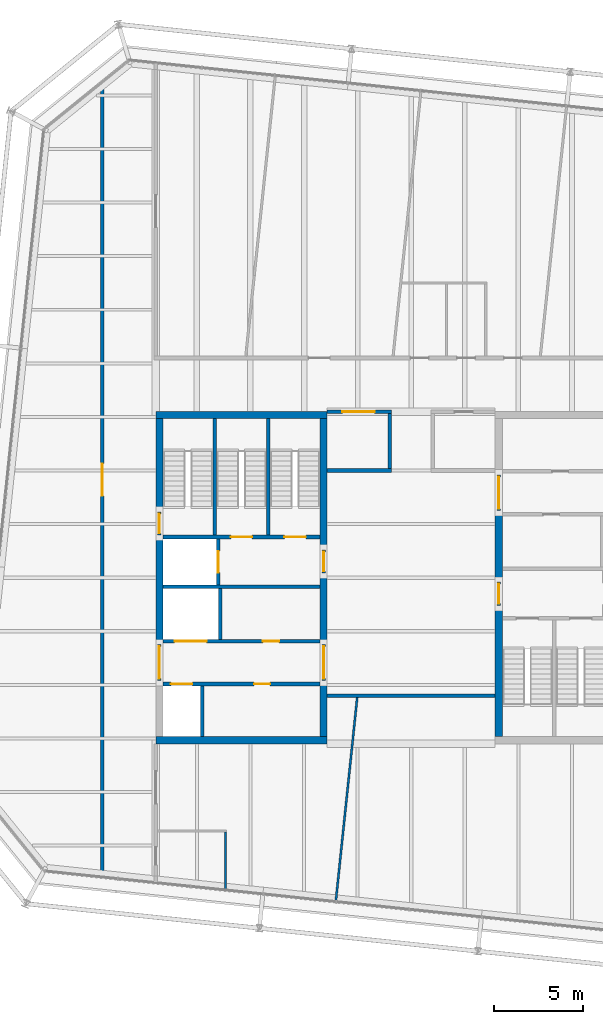
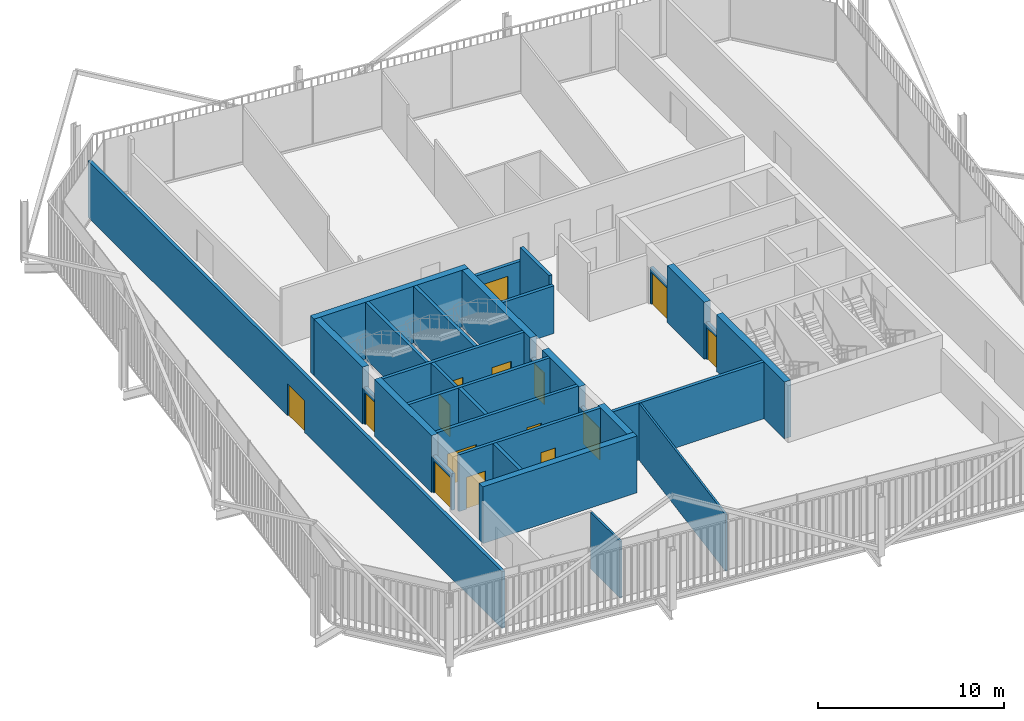
# One storey, part 17 of 21: 31 walls, 15 doors, 15 openings.
"""IFC4 building model written with IfcOpenShell, lengths in metres."""

from ifc_helpers import new_model, si_unit, direction, frame, frame_2d, origin, place, context, subcontext, project, spatial, rectangle, extrude, material, layer, layer_set, type_object, element, fill, save


model = new_model("IFC4")

# Units and contexts
model_context = context("Model", 3, precision=1e-05, world=origin(), true_north=direction((0.0, 1.0)))
body_context = subcontext(model_context, "Body", "Model", "MODEL_VIEW")
ifc_project = project(units=[si_unit("LENGTHUNIT", "METRE"), si_unit("AREAUNIT", "SQUARE_METRE"), si_unit("VOLUMEUNIT", "CUBIC_METRE"), si_unit("PLANEANGLEUNIT", "RADIAN"), si_unit("MASSUNIT", "GRAM", prefix="KILO")], contexts=[model_context])

# Site, building, storey
site_placement = place(None, origin())
site = spatial("IfcSite", under=ifc_project, at=site_placement, CompositionType="ELEMENT")
building_placement = place(site_placement, origin())
building = spatial("IfcBuilding", under=site, at=building_placement, Name="Millrace Tower", CompositionType="ELEMENT")
storey_placement = place(building_placement, frame((0.0, 0.0, 283.800048828125)))
storey = spatial("IfcBuildingStorey", under=building, at=storey_placement, Name="L65", CompositionType="ELEMENT", Elevation=283.800048828125)

# Walls
ifc_material_1 = material(Name="Concrete C60", Category="concrete")
ifc_layer_1 = layer(ifc_material_1, 0.39990234375)
ifc_layer_set_1 = layer_set([ifc_layer_1], Name="Concrete C60")
wall_type_1 = type_object("IfcWallType", Name="Core wall 400 Concrete C60", PredefinedType="SHEAR", material=ifc_layer_set_1)
for number, where, z_axis, x_axis, name in (
    (1, (-14.300048828125, -9.10009765625, 0.0), (0.0, 0.0, 1.0), (1.0, 0.0, 0.0), "Core wall W L65"),
    (2, (-14.300048828125, 9.10009765625, 0.0), (0.0, 0.0, 1.0), (1.0, 0.0, 0.0), "Core wall W L65"),
):
    element("IfcWall", number, at=place(storey_placement, frame(where, z_axis=z_axis, x_axis=x_axis)), inside=storey, type_object=wall_type_1, Name=name, PredefinedType="SHEAR", context=body_context, shape_type="SweptSolid", body=[
        extrude(rectangle(XDim=9.60009765625, YDim=0.39990234375, at=frame_2d((4.800048828125, 0.0))), origin(), (0.0, 0.0, 1.0), 3.739990234375),
    ])
wall_1_placement = place(storey_placement, frame((-14.10009765625, -3.75, 0.0), z_axis=(0.0, 0.0, 1.0), x_axis=(0.0, 1.0, 0.0)))
element("IfcWall", 3, at=wall_1_placement, inside=storey, type_object=wall_type_1, Name="Core wall W L65", PredefinedType="SHEAR", context=body_context, shape_type="SweptSolid", body=[
    extrude(rectangle(XDim=6.1298828125, YDim=0.39990234375, at=frame_2d((3.06494140625, 0.0))), origin(), (0.0, 0.0, 1.0), 3.739990234375),
])
wall_2_placement = place(storey_placement, frame((-14.10009765625, 3.679931640625, 0.0), z_axis=(0.0, 0.0, 1.0), x_axis=(0.0, 1.0, 0.0)))
element("IfcWall", 4, at=wall_2_placement, inside=storey, type_object=wall_type_1, Name="Core wall W L65", PredefinedType="SHEAR", context=body_context, shape_type="SweptSolid", body=[
    extrude(rectangle(XDim=5.219970703125, YDim=0.39990234375, at=frame_2d((2.60986328125, 0.0))), origin(), (0.0, 0.0, 1.0), 3.739990234375),
])
wall_3_placement = place(storey_placement, frame((-4.89990234375, -8.89990234375, 0.0), z_axis=(0.0, 0.0, 1.0), x_axis=(0.0, 1.0, 0.0)))
element("IfcWall", 5, at=wall_3_placement, inside=storey, type_object=wall_type_1, Name="Core wall W L65", PredefinedType="SHEAR", context=body_context, shape_type="SweptSolid", body=[
    extrude(rectangle(XDim=3.14990234375, YDim=0.39990234375, at=frame_2d((1.574951171875, 0.0))), origin(), (0.0, 0.0, 1.0), 3.739990234375),
])
wall_4_placement = place(storey_placement, frame((-4.89990234375, -3.75, 0.0), z_axis=(0.0, 0.0, 1.0), x_axis=(0.0, 1.0, 0.0)))
element("IfcWall", 6, at=wall_4_placement, inside=storey, type_object=wall_type_1, Name="Core wall W L65", PredefinedType="SHEAR", context=body_context, shape_type="SweptSolid", body=[
    extrude(rectangle(XDim=4.0, YDim=0.39990234375, at=frame_2d((2.0, 0.0))), origin(), (0.0, 0.0, 1.0), 3.739990234375),
])
wall_5_placement = place(storey_placement, frame((-4.89990234375, 1.550048828125, 0.0), z_axis=(0.0, 0.0, 1.0), x_axis=(0.0, 1.0, 0.0)))
element("IfcWall", 7, at=wall_5_placement, inside=storey, type_object=wall_type_1, Name="Core wall W L65", PredefinedType="SHEAR", context=body_context, shape_type="SweptSolid", body=[
    extrude(rectangle(XDim=7.349853515625, YDim=0.39990234375, at=frame_2d((3.6748046875, 0.0))), origin(), (0.0, 0.0, 1.0), 3.739990234375),
])
wall_6_placement = place(storey_placement, frame((4.89990234375, 3.75, 0.0), z_axis=(0.0, 0.0, 1.0), x_axis=(0.0, -1.0, 0.0)))
element("IfcWall", 8, at=wall_6_placement, inside=storey, type_object=wall_type_1, Name="Core wall E L65", PredefinedType="SHEAR", context=body_context, shape_type="SweptSolid", body=[
    extrude(rectangle(XDim=4.0, YDim=0.39990234375, at=frame_2d((2.0, 0.0))), origin(), (0.0, 0.0, 1.0), 3.739990234375),
])
wall_7_placement = place(storey_placement, frame((4.89990234375, -1.550048828125, 0.0), z_axis=(0.0, 0.0, 1.0), x_axis=(0.0, -1.0, 0.0)))
element("IfcWall", 9, at=wall_7_placement, inside=storey, type_object=wall_type_1, Name="Core wall E L65", PredefinedType="SHEAR", context=body_context, shape_type="SweptSolid", body=[
    extrude(rectangle(XDim=7.349853515625, YDim=0.39990234375, at=frame_2d((3.6748046875, 0.0))), origin(), (0.0, 0.0, 1.0), 3.739990234375),
])
ifc_material_2 = material(Name="Masonry partition, fire-rated", Category="masonry")
ifc_layer_2 = layer(ifc_material_2, 0.199951171875)
ifc_layer_set_2 = layer_set([ifc_layer_2], Name="Masonry partition, fire-rated")
wall_type_2 = type_object("IfcWallType", Name="Corridor wall 200", PredefinedType="PARTITIONING", material=ifc_layer_set_2)
wall_8_placement = place(storey_placement, frame((-4.699951171875, -6.60009765625, 0.0), z_axis=(0.0, 0.0, 1.0), x_axis=(1.0, 0.0, 0.0)))
element("IfcWall", 10, at=wall_8_placement, inside=storey, type_object=wall_type_2, Name="Corridor wall L65", PredefinedType="PARTITIONING", context=body_context, shape_type="SweptSolid", body=[
    extrude(rectangle(XDim=9.39990234375, YDim=0.199951171875, at=frame_2d((4.699951171875, 0.0))), origin(), (0.0, 0.0, 1.0), 3.739990234375),
])
wall_9_placement = place(storey_placement, frame((-4.699951171875, 6.0, 0.0), z_axis=(0.0, 0.0, 1.0), x_axis=(1.0, 0.0, 0.0)))
element("IfcWall", 11, at=wall_9_placement, inside=storey, type_object=wall_type_2, Name="Corridor wall L65", PredefinedType="PARTITIONING", context=body_context, shape_type="SweptSolid", body=[
    extrude(rectangle(XDim=3.599853515625, YDim=0.199951171875, at=frame_2d((1.7998046875, 0.0))), origin(), (0.0, 0.0, 1.0), 3.140625),
])

# Wall, opening, door
wall_10_placement = place(storey_placement, frame((-4.699951171875, 9.300048828125, 0.0), z_axis=(0.0, 0.0, 1.0), x_axis=(1.0, 0.0, 0.0)))
wall_10 = element("IfcWall", 12, at=wall_10_placement, inside=storey, type_object=wall_type_2, Name="Corridor wall L65", PredefinedType="PARTITIONING", context=body_context, shape_type="SweptSolid", body=[
    extrude(rectangle(XDim=3.599853515625, YDim=0.199951171875, at=frame_2d((1.7998046875, 0.0))), origin(), (0.0, 0.0, 1.0), 2.812744140625),
])
opening_1_placement = place(wall_10_placement, frame((0.85009765625, 0.0, 0.0)))
opening_1 = element("IfcOpeningElement", 13, at=opening_1_placement, cuts=wall_10, Name="Opening 65-P001", PredefinedType="OPENING", context=body_context, shape_type="SweptSolid", body=[
    extrude(rectangle(XDim=1.800048828125, YDim=2.10009765625, at=frame_2d((0.89990234375, 1.050048828125))), frame((0.0, 0.10986328125, 0.0), z_axis=(0.0, -1.0, 0.0), x_axis=(1.0, 0.0, 0.0)), (0.0, 0.0, 1.0), 0.219970703125),
])
ifc_material_3 = material(Name="Steel door set, fire-rated", Category="steel")
door_type_1 = type_object("IfcDoorType", Name="Data hall door 1800 x 2100", OperationType="DOUBLE_DOOR_SINGLE_SWING", PredefinedType="DOOR", material=ifc_material_3)
door_1_placement = place(opening_1_placement, frame((1.800048828125, 0.0, 0.0), z_axis=(0.0, 0.0, 1.0), x_axis=(-1.0, 0.0, 0.0)))
door_1 = element("IfcDoor", 14, at=door_1_placement, inside=storey, type_object=door_type_1, Name="Door 65-P001", OperationType="DOUBLE_DOOR_SINGLE_SWING", OverallHeight=2.10009765625, OverallWidth=1.800048828125, PredefinedType="DOOR", context=body_context, shape_type="SweptSolid", body=[
    extrude(rectangle(XDim=1.800048828125, YDim=2.10009765625, at=frame_2d((0.89990234375, 1.050048828125))), frame((0.0, 0.02490234375, 0.0), z_axis=(0.0, -1.0, 0.0), x_axis=(1.0, 0.0, 0.0)), (0.0, 0.0, 1.0), 0.050048828125),
])
fill(opening_1, door_1)

# Wall
wall_11_placement = place(storey_placement, frame((-1.199951171875, 6.10009765625, 0.0), z_axis=(0.0, 0.0, 1.0), x_axis=(0.0, 1.0, 0.0)))
element("IfcWall", 15, at=wall_11_placement, inside=storey, type_object=wall_type_2, Name="Corridor wall L65", PredefinedType="PARTITIONING", context=body_context, shape_type="SweptSolid", body=[
    extrude(rectangle(XDim=3.099853515625, YDim=0.199951171875, at=frame_2d((1.5498046875, 0.0))), origin(), (0.0, 0.0, 1.0), 3.739990234375),
])

# Wall, opening, door
wall_12_placement = place(storey_placement, frame((-17.300048828125, -16.716064453125, 0.0), z_axis=(0.0, 0.0, 1.0), x_axis=(0.0, 1.0, 0.0)))
wall_12 = element("IfcWall", 16, at=wall_12_placement, inside=storey, type_object=wall_type_2, Name="Corridor wall L65", PredefinedType="PARTITIONING", context=body_context, shape_type="SweptSolid", body=[
    extrude(rectangle(XDim=44.620361328125, YDim=0.199951171875, at=frame_2d((22.31005859375, 0.0))), origin(), (0.0, 0.0, 1.0), 3.739990234375),
])
opening_2_placement = place(wall_12_placement, frame((21.30322265625, 0.0, 0.0)))
opening_2 = element("IfcOpeningElement", 17, at=opening_2_placement, cuts=wall_12, Name="Opening 65-P003", PredefinedType="OPENING", context=body_context, shape_type="SweptSolid", body=[
    extrude(rectangle(XDim=1.800048828125, YDim=2.10009765625, at=frame_2d((0.89990234375, 1.050048828125))), frame((0.0, 0.10986328125, 0.0), z_axis=(0.0, -1.0, 0.0), x_axis=(1.0, 0.0, 0.0)), (0.0, 0.0, 1.0), 0.219970703125),
])
ifc_material_4 = material(Name="Steel door set, fire-rated", Category="steel")
door_type_2 = type_object("IfcDoorType", Name="Corridor door 1800 x 2100", OperationType="DOUBLE_DOOR_SINGLE_SWING", PredefinedType="DOOR", material=ifc_material_4)
door_2_placement = place(opening_2_placement, frame((1.800048828125, 0.0, 0.0), z_axis=(0.0, 0.0, 1.0), x_axis=(-1.0, 0.0, 0.0)))
door_2 = element("IfcDoor", 18, at=door_2_placement, inside=storey, type_object=door_type_2, Name="Door 65-P003", OperationType="DOUBLE_DOOR_SINGLE_SWING", OverallHeight=2.10009765625, OverallWidth=1.800048828125, PredefinedType="DOOR", context=body_context, shape_type="SweptSolid", body=[
    extrude(rectangle(XDim=1.800048828125, YDim=2.10009765625, at=frame_2d((0.89990234375, 1.050048828125))), frame((0.0, 0.02490234375, 0.0), z_axis=(0.0, -1.0, 0.0), x_axis=(1.0, 0.0, 0.0)), (0.0, 0.0, 1.0), 0.050048828125),
])
fill(opening_2, door_2)

# Wall, openings, doors
ifc_material_5 = material(Name="Masonry partition, fire-rated", Category="masonry")
ifc_layer_3 = layer(ifc_material_5, 0.199951171875)
ifc_layer_set_3 = layer_set([ifc_layer_3], Name="Masonry partition, fire-rated")
wall_type_3 = type_object("IfcWallType", Name="Lift shaft wall 200", PredefinedType="PARTITIONING", material=ifc_layer_set_3)
wall_13_placement = place(storey_placement, frame((-13.89990234375, -5.949951171875, 0.0), z_axis=(0.0, 0.0, 1.0), x_axis=(1.0, 0.0, 0.0)))
wall_13 = element("IfcWall", 19, at=wall_13_placement, inside=storey, type_object=wall_type_3, Name="Lift shaft wall W L65", PredefinedType="PARTITIONING", context=body_context, shape_type="SweptSolid", body=[
    extrude(rectangle(XDim=8.7998046875, YDim=0.199951171875, at=frame_2d((4.39990234375, 0.0))), origin(), (0.0, 0.0, 1.0), 3.739990234375),
])
opening_3_placement = place(wall_13_placement, frame((0.449951171875, 0.0, 0.0)))
opening_3 = element("IfcOpeningElement", 20, at=opening_3_placement, cuts=wall_13, Name="Opening 65-LD01", PredefinedType="OPENING", context=body_context, shape_type="SweptSolid", body=[
    extrude(rectangle(XDim=1.199951171875, YDim=2.10009765625, at=frame_2d((0.60009765625, 1.050048828125))), frame((0.0, 0.10986328125, 0.0), z_axis=(0.0, -1.0, 0.0), x_axis=(1.0, 0.0, 0.0)), (0.0, 0.0, 1.0), 0.219970703125),
])
opening_4_placement = place(wall_13_placement, frame((5.10009765625, 0.0, 0.0)))
opening_4 = element("IfcOpeningElement", 21, at=opening_4_placement, cuts=wall_13, Name="Opening 65-C005", PredefinedType="OPENING", context=body_context, shape_type="SweptSolid", body=[
    extrude(rectangle(XDim=0.89990234375, YDim=2.10009765625, at=frame_2d((0.449951171875, 1.050048828125))), frame((0.0, 0.10986328125, 0.0), z_axis=(0.0, -1.0, 0.0), x_axis=(1.0, 0.0, 0.0)), (0.0, 0.0, 1.0), 0.219970703125),
])
ifc_material_6 = material(Name="Stainless steel, fire-rated", Category="steel")
door_type_3 = type_object("IfcDoorType", Name="Lift landing door 1200 x 2100", OperationType="DOUBLE_DOOR_SLIDING", PredefinedType="DOOR", material=ifc_material_6)
door_3_placement = place(opening_3_placement, origin())
door_3 = element("IfcDoor", 22, at=door_3_placement, inside=storey, type_object=door_type_3, Name="Lift landing door LF1 L65", OperationType="DOUBLE_DOOR_SLIDING", OverallHeight=2.10009765625, OverallWidth=1.199951171875, PredefinedType="DOOR", context=body_context, shape_type="SweptSolid", body=[
    extrude(rectangle(XDim=1.199951171875, YDim=2.10009765625, at=frame_2d((0.60009765625, 1.050048828125))), frame((0.0, 0.02490234375, 0.0), z_axis=(0.0, -1.0, 0.0), x_axis=(1.0, 0.0, 0.0)), (0.0, 0.0, 1.0), 0.050048828125),
])
fill(opening_3, door_3)
ifc_material_7 = material(Name="Steel door, fire-rated", Category="steel")
door_type_4 = type_object("IfcDoorType", Name="Service room door 900 x 2100", OperationType="SINGLE_SWING_LEFT", PredefinedType="DOOR", material=ifc_material_7)
door_4_placement = place(opening_4_placement, frame((0.89990234375, 0.0, 0.0), z_axis=(0.0, 0.0, 1.0), x_axis=(-1.0, 0.0, 0.0)))
door_4 = element("IfcDoor", 23, at=door_4_placement, inside=storey, type_object=door_type_4, Name="Service room door 65-C005", OperationType="SINGLE_SWING_LEFT", OverallHeight=2.10009765625, OverallWidth=0.89990234375, PredefinedType="DOOR", context=body_context, shape_type="SweptSolid", body=[
    extrude(rectangle(XDim=0.89990234375, YDim=2.10009765625, at=frame_2d((0.449951171875, 1.050048828125))), frame((0.0, 0.02490234375, 0.0), z_axis=(0.0, -1.0, 0.0), x_axis=(1.0, 0.0, 0.0)), (0.0, 0.0, 1.0), 0.050048828125),
])
fill(opening_4, door_4)

wall_14_placement = place(storey_placement, frame((-13.89990234375, -3.550048828125, 0.0), z_axis=(0.0, 0.0, 1.0), x_axis=(1.0, 0.0, 0.0)))
wall_14 = element("IfcWall", 24, at=wall_14_placement, inside=storey, type_object=wall_type_3, Name="Lift shaft wall W L65", PredefinedType="PARTITIONING", context=body_context, shape_type="SweptSolid", body=[
    extrude(rectangle(XDim=8.7998046875, YDim=0.199951171875, at=frame_2d((4.39990234375, 0.0))), origin(), (0.0, 0.0, 1.0), 3.739990234375),
])
opening_5_placement = place(wall_14_placement, frame((0.64990234375, 0.0, 0.0)))
opening_5 = element("IfcOpeningElement", 25, at=opening_5_placement, cuts=wall_14, Name="Opening 65-LD05", PredefinedType="OPENING", context=body_context, shape_type="SweptSolid", body=[
    extrude(rectangle(XDim=1.800048828125, YDim=2.10009765625, at=frame_2d((0.89990234375, 1.050048828125))), frame((0.0, 0.10986328125, 0.0), z_axis=(0.0, -1.0, 0.0), x_axis=(1.0, 0.0, 0.0)), (0.0, 0.0, 1.0), 0.219970703125),
])
opening_6_placement = place(wall_14_placement, frame((5.60009765625, 0.0, 0.0)))
opening_6 = element("IfcOpeningElement", 26, at=opening_6_placement, cuts=wall_14, Name="Opening 65-C006", PredefinedType="OPENING", context=body_context, shape_type="SweptSolid", body=[
    extrude(rectangle(XDim=0.89990234375, YDim=2.10009765625, at=frame_2d((0.449951171875, 1.050048828125))), frame((0.0, 0.10986328125, 0.0), z_axis=(0.0, -1.0, 0.0), x_axis=(1.0, 0.0, 0.0)), (0.0, 0.0, 1.0), 0.219970703125),
])
ifc_material_8 = material(Name="Stainless steel, fire-rated", Category="steel")
door_type_5 = type_object("IfcDoorType", Name="Lift landing door 1800 x 2100", OperationType="DOUBLE_DOOR_SLIDING", PredefinedType="DOOR", material=ifc_material_8)
door_5_placement = place(opening_5_placement, origin())
door_5 = element("IfcDoor", 27, at=door_5_placement, inside=storey, type_object=door_type_5, Name="Lift landing door LF5 L65", OperationType="DOUBLE_DOOR_SLIDING", OverallHeight=2.10009765625, OverallWidth=1.800048828125, PredefinedType="DOOR", context=body_context, shape_type="SweptSolid", body=[
    extrude(rectangle(XDim=1.800048828125, YDim=2.10009765625, at=frame_2d((0.89990234375, 1.050048828125))), frame((0.0, 0.02490234375, 0.0), z_axis=(0.0, -1.0, 0.0), x_axis=(1.0, 0.0, 0.0)), (0.0, 0.0, 1.0), 0.050048828125),
])
fill(opening_5, door_5)
door_6_placement = place(opening_6_placement, origin())
door_6 = element("IfcDoor", 28, at=door_6_placement, inside=storey, type_object=door_type_4, Name="Service room door 65-C006", OperationType="SINGLE_SWING_RIGHT", OverallHeight=2.10009765625, OverallWidth=0.89990234375, PredefinedType="DOOR", context=body_context, shape_type="SweptSolid", body=[
    extrude(rectangle(XDim=0.89990234375, YDim=2.10009765625, at=frame_2d((0.449951171875, 1.050048828125))), frame((0.0, 0.02490234375, 0.0), z_axis=(0.0, -1.0, 0.0), x_axis=(1.0, 0.0, 0.0)), (0.0, 0.0, 1.0), 0.050048828125),
])
fill(opening_6, door_6)

# Wall
wall_15_placement = place(storey_placement, frame((-13.89990234375, -0.5, 0.0), z_axis=(0.0, 0.0, 1.0), x_axis=(1.0, 0.0, 0.0)))
element("IfcWall", 29, at=wall_15_placement, inside=storey, type_object=wall_type_3, Name="Lift shaft wall W L65", PredefinedType="PARTITIONING", context=body_context, shape_type="SweptSolid", body=[
    extrude(rectangle(XDim=8.7998046875, YDim=0.199951171875, at=frame_2d((4.39990234375, 0.0))), origin(), (0.0, 0.0, 1.0), 3.739990234375),
])

# Wall, opening, door
wall_16_placement = place(storey_placement, frame((-10.800048828125, -0.39990234375, 0.0), z_axis=(0.0, 0.0, 1.0), x_axis=(0.0, 1.0, 0.0)))
wall_16 = element("IfcWall", 30, at=wall_16_placement, inside=storey, type_object=wall_type_3, Name="Lift shaft wall W L65", PredefinedType="PARTITIONING", context=body_context, shape_type="SweptSolid", body=[
    extrude(rectangle(XDim=2.579833984375, YDim=0.199951171875, at=frame_2d((1.2900390625, 0.0))), origin(), (0.0, 0.0, 1.0), 3.739990234375),
])
opening_7_placement = place(wall_16_placement, frame((0.68994140625, 0.0, 0.0)))
opening_7 = element("IfcOpeningElement", 31, at=opening_7_placement, cuts=wall_16, Name="Opening 65-LD08", PredefinedType="OPENING", context=body_context, shape_type="SweptSolid", body=[
    extrude(rectangle(XDim=1.199951171875, YDim=2.10009765625, at=frame_2d((0.60009765625, 1.050048828125))), frame((0.0, 0.10986328125, 0.0), z_axis=(0.0, -1.0, 0.0), x_axis=(1.0, 0.0, 0.0)), (0.0, 0.0, 1.0), 0.219970703125),
])
door_7_placement = place(opening_7_placement, origin())
door_7 = element("IfcDoor", 32, at=door_7_placement, inside=storey, type_object=door_type_3, Name="Lift landing door LF8 L65", OperationType="DOUBLE_DOOR_SLIDING", OverallHeight=2.10009765625, OverallWidth=1.199951171875, PredefinedType="DOOR", context=body_context, shape_type="SweptSolid", body=[
    extrude(rectangle(XDim=1.199951171875, YDim=2.10009765625, at=frame_2d((0.60009765625, 1.050048828125))), frame((0.0, 0.02490234375, 0.0), z_axis=(0.0, -1.0, 0.0), x_axis=(1.0, 0.0, 0.0)), (0.0, 0.0, 1.0), 0.050048828125),
])
fill(opening_7, door_7)

# Walls
for number, where, z_axis, x_axis, name in (
    (33, (-11.699951171875, -8.89990234375, 0.0), (0.0, 0.0, 1.0), (0.0, 1.0, 0.0), "Lift shaft wall W L65"),
    (34, (-10.699951171875, -3.449951171875, 0.0), (0.0, 0.0, 1.0), (0.0, 1.0, 0.0), "Lift shaft wall W L65"),
):
    element("IfcWall", number, at=place(storey_placement, frame(where, z_axis=z_axis, x_axis=x_axis)), inside=storey, type_object=wall_type_3, Name=name, PredefinedType="PARTITIONING", context=body_context, shape_type="SweptSolid", body=[
        extrude(rectangle(XDim=2.849853515625, YDim=0.199951171875, at=frame_2d((1.4248046875, 0.0))), origin(), (0.0, 0.0, 1.0), 3.739990234375),
    ])

# Wall, opening, door
ifc_material_9 = material(Name="Masonry partition, fire-rated", Category="masonry")
ifc_layer_4 = layer(ifc_material_9, 0.199951171875)
ifc_layer_set_4 = layer_set([ifc_layer_4], Name="Masonry partition, fire-rated")
wall_type_4 = type_object("IfcWallType", Name="Lobby wall 200", PredefinedType="PARTITIONING", material=ifc_layer_set_4)
wall_17_placement = place(storey_placement, frame((-14.10009765625, -5.75, 0.0), z_axis=(0.0, 0.0, 1.0), x_axis=(0.0, 1.0, 0.0)))
wall_17 = element("IfcWall", 35, at=wall_17_placement, inside=storey, type_object=wall_type_4, Name="Lobby wall W L65", PredefinedType="PARTITIONING", context=body_context, shape_type="SweptSolid", body=[
    extrude(rectangle(XDim=2.0, YDim=0.199951171875, at=frame_2d((1.0, 0.0))), origin(), (0.0, 0.0, 1.0), 2.39990234375),
])
opening_8_placement = place(wall_17_placement, frame((0.10009765625, 0.0, 0.0)))
opening_8 = element("IfcOpeningElement", 36, at=opening_8_placement, cuts=wall_17, Name="Opening 65-C001", PredefinedType="OPENING", context=body_context, shape_type="SweptSolid", body=[
    extrude(rectangle(XDim=1.800048828125, YDim=2.10009765625, at=frame_2d((0.89990234375, 1.050048828125))), frame((0.0, 0.10986328125, 0.0), z_axis=(0.0, -1.0, 0.0), x_axis=(1.0, 0.0, 0.0)), (0.0, 0.0, 1.0), 0.219970703125),
])
ifc_material_10 = material(Name="Steel door, fire-rated", Category="steel")
door_type_6 = type_object("IfcDoorType", Name="Lobby door 1800 x 2100", OperationType="DOUBLE_DOOR_SINGLE_SWING", PredefinedType="DOOR", material=ifc_material_10)
door_8_placement = place(opening_8_placement, origin())
door_8 = element("IfcDoor", 37, at=door_8_placement, inside=storey, type_object=door_type_6, Name="Lobby door 65-C001", OperationType="DOUBLE_DOOR_SINGLE_SWING", OverallHeight=2.10009765625, OverallWidth=1.800048828125, PredefinedType="DOOR", context=body_context, shape_type="SweptSolid", body=[
    extrude(rectangle(XDim=1.800048828125, YDim=2.10009765625, at=frame_2d((0.89990234375, 1.050048828125))), frame((0.0, 0.02490234375, 0.0), z_axis=(0.0, -1.0, 0.0), x_axis=(1.0, 0.0, 0.0)), (0.0, 0.0, 1.0), 0.050048828125),
])
fill(opening_8, door_8)

wall_18_placement = place(storey_placement, frame((-4.89990234375, -5.75, 0.0), z_axis=(0.0, 0.0, 1.0), x_axis=(0.0, 1.0, 0.0)))
wall_18 = element("IfcWall", 38, at=wall_18_placement, inside=storey, type_object=wall_type_4, Name="Lobby wall W L65", PredefinedType="PARTITIONING", context=body_context, shape_type="SweptSolid", body=[
    extrude(rectangle(XDim=2.0, YDim=0.199951171875, at=frame_2d((1.0, 0.0))), origin(), (0.0, 0.0, 1.0), 2.39990234375),
])
opening_9_placement = place(wall_18_placement, frame((0.10009765625, 0.0, 0.0)))
opening_9 = element("IfcOpeningElement", 39, at=opening_9_placement, cuts=wall_18, Name="Opening 65-C003", PredefinedType="OPENING", context=body_context, shape_type="SweptSolid", body=[
    extrude(rectangle(XDim=1.800048828125, YDim=2.10009765625, at=frame_2d((0.89990234375, 1.050048828125))), frame((0.0, 0.10986328125, 0.0), z_axis=(0.0, -1.0, 0.0), x_axis=(1.0, 0.0, 0.0)), (0.0, 0.0, 1.0), 0.219970703125),
])
door_9_placement = place(opening_9_placement, frame((1.800048828125, 0.0, 0.0), z_axis=(0.0, 0.0, 1.0), x_axis=(-1.0, 0.0, 0.0)))
door_9 = element("IfcDoor", 40, at=door_9_placement, inside=storey, type_object=door_type_6, Name="Lobby door 65-C003", OperationType="DOUBLE_DOOR_SINGLE_SWING", OverallHeight=2.10009765625, OverallWidth=1.800048828125, PredefinedType="DOOR", context=body_context, shape_type="SweptSolid", body=[
    extrude(rectangle(XDim=1.800048828125, YDim=2.10009765625, at=frame_2d((0.89990234375, 1.050048828125))), frame((0.0, 0.02490234375, 0.0), z_axis=(0.0, -1.0, 0.0), x_axis=(1.0, 0.0, 0.0)), (0.0, 0.0, 1.0), 0.050048828125),
])
fill(opening_9, door_9)

wall_19_placement = place(storey_placement, frame((-4.89990234375, 0.25, 0.0), z_axis=(0.0, 0.0, 1.0), x_axis=(0.0, 1.0, 0.0)))
wall_19 = element("IfcWall", 41, at=wall_19_placement, inside=storey, type_object=wall_type_4, Name="Lobby wall W L65", PredefinedType="PARTITIONING", context=body_context, shape_type="SweptSolid", body=[
    extrude(rectangle(XDim=1.300048828125, YDim=0.199951171875, at=frame_2d((0.64990234375, 0.0))), origin(), (0.0, 0.0, 1.0), 2.39990234375),
])
opening_10_placement = place(wall_19_placement, frame((0.10009765625, 0.0, 0.0)))
opening_10 = element("IfcOpeningElement", 42, at=opening_10_placement, cuts=wall_19, Name="Opening 65-C004", PredefinedType="OPENING", context=body_context, shape_type="SweptSolid", body=[
    extrude(rectangle(XDim=1.10009765625, YDim=2.10009765625, at=frame_2d((0.550048828125, 1.050048828125))), frame((0.0, 0.10986328125, 0.0), z_axis=(0.0, -1.0, 0.0), x_axis=(1.0, 0.0, 0.0)), (0.0, 0.0, 1.0), 0.219970703125),
])
ifc_material_11 = material(Name="Steel door, fire-rated", Category="steel")
door_type_7 = type_object("IfcDoorType", Name="Lobby door 1100 x 2100", OperationType="SINGLE_SWING_LEFT", PredefinedType="DOOR", material=ifc_material_11)
door_10_placement = place(opening_10_placement, frame((1.10009765625, 0.0, 0.0), z_axis=(0.0, 0.0, 1.0), x_axis=(-1.0, 0.0, 0.0)))
door_10 = element("IfcDoor", 43, at=door_10_placement, inside=storey, type_object=door_type_7, Name="Lobby door 65-C004", OperationType="SINGLE_SWING_LEFT", OverallHeight=2.10009765625, OverallWidth=1.10009765625, PredefinedType="DOOR", context=body_context, shape_type="SweptSolid", body=[
    extrude(rectangle(XDim=1.10009765625, YDim=2.10009765625, at=frame_2d((0.550048828125, 1.050048828125))), frame((0.0, 0.02490234375, 0.0), z_axis=(0.0, -1.0, 0.0), x_axis=(1.0, 0.0, 0.0)), (0.0, 0.0, 1.0), 0.050048828125),
])
fill(opening_10, door_10)

wall_20_placement = place(storey_placement, frame((4.89990234375, 5.75, 0.0), z_axis=(0.0, 0.0, 1.0), x_axis=(0.0, -1.0, 0.0)))
wall_20 = element("IfcWall", 44, at=wall_20_placement, inside=storey, type_object=wall_type_4, Name="Lobby wall E L65", PredefinedType="PARTITIONING", context=body_context, shape_type="SweptSolid", body=[
    extrude(rectangle(XDim=2.0, YDim=0.199951171875, at=frame_2d((1.0, 0.0))), origin(), (0.0, 0.0, 1.0), 2.39990234375),
])
opening_11_placement = place(wall_20_placement, frame((0.10009765625, 0.0, 0.0)))
opening_11 = element("IfcOpeningElement", 45, at=opening_11_placement, cuts=wall_20, Name="Opening 65-C011", PredefinedType="OPENING", context=body_context, shape_type="SweptSolid", body=[
    extrude(rectangle(XDim=1.800048828125, YDim=2.10009765625, at=frame_2d((0.89990234375, 1.050048828125))), frame((0.0, 0.10986328125, 0.0), z_axis=(0.0, -1.0, 0.0), x_axis=(1.0, 0.0, 0.0)), (0.0, 0.0, 1.0), 0.219970703125),
])
door_11_placement = place(opening_11_placement, frame((1.800048828125, 0.0, 0.0), z_axis=(0.0, 0.0, 1.0), x_axis=(-1.0, 0.0, 0.0)))
door_11 = element("IfcDoor", 46, at=door_11_placement, inside=storey, type_object=door_type_6, Name="Lobby door 65-C011", OperationType="DOUBLE_DOOR_SINGLE_SWING", OverallHeight=2.10009765625, OverallWidth=1.800048828125, PredefinedType="DOOR", context=body_context, shape_type="SweptSolid", body=[
    extrude(rectangle(XDim=1.800048828125, YDim=2.10009765625, at=frame_2d((0.89990234375, 1.050048828125))), frame((0.0, 0.02490234375, 0.0), z_axis=(0.0, -1.0, 0.0), x_axis=(1.0, 0.0, 0.0)), (0.0, 0.0, 1.0), 0.050048828125),
])
fill(opening_11, door_11)

wall_21_placement = place(storey_placement, frame((4.89990234375, -0.25, 0.0), z_axis=(0.0, 0.0, 1.0), x_axis=(0.0, -1.0, 0.0)))
wall_21 = element("IfcWall", 47, at=wall_21_placement, inside=storey, type_object=wall_type_4, Name="Lobby wall E L65", PredefinedType="PARTITIONING", context=body_context, shape_type="SweptSolid", body=[
    extrude(rectangle(XDim=1.300048828125, YDim=0.199951171875, at=frame_2d((0.64990234375, 0.0))), origin(), (0.0, 0.0, 1.0), 2.39990234375),
])
opening_12_placement = place(wall_21_placement, frame((0.10009765625, 0.0, 0.0)))
opening_12 = element("IfcOpeningElement", 48, at=opening_12_placement, cuts=wall_21, Name="Opening 65-C012", PredefinedType="OPENING", context=body_context, shape_type="SweptSolid", body=[
    extrude(rectangle(XDim=1.10009765625, YDim=2.10009765625, at=frame_2d((0.550048828125, 1.050048828125))), frame((0.0, 0.10986328125, 0.0), z_axis=(0.0, -1.0, 0.0), x_axis=(1.0, 0.0, 0.0)), (0.0, 0.0, 1.0), 0.219970703125),
])
door_12_placement = place(opening_12_placement, frame((1.10009765625, 0.0, 0.0), z_axis=(0.0, 0.0, 1.0), x_axis=(-1.0, 0.0, 0.0)))
door_12 = element("IfcDoor", 49, at=door_12_placement, inside=storey, type_object=door_type_7, Name="Lobby door 65-C012", OperationType="SINGLE_SWING_RIGHT", OverallHeight=2.10009765625, OverallWidth=1.10009765625, PredefinedType="DOOR", context=body_context, shape_type="SweptSolid", body=[
    extrude(rectangle(XDim=1.10009765625, YDim=2.10009765625, at=frame_2d((0.550048828125, 1.050048828125))), frame((0.0, 0.02490234375, 0.0), z_axis=(0.0, -1.0, 0.0), x_axis=(1.0, 0.0, 0.0)), (0.0, 0.0, 1.0), 0.050048828125),
])
fill(opening_12, door_12)

# Walls
ifc_material_12 = material(Name="Gypsum board partition")
ifc_layer_5 = layer(ifc_material_12, 0.1201171875)
ifc_layer_set_5 = layer_set([ifc_layer_5], Name="Gypsum board partition")
wall_type_5 = type_object("IfcWallType", Name="Partition wall 120", PredefinedType="PARTITIONING", material=ifc_layer_set_5)
wall_22_placement = place(storey_placement, frame((-4.21826171875, -18.091064453125, 0.0), z_axis=(0.0, 0.0, 1.0), x_axis=(0.104482850971, 0.994526688356, 0.0)))
element("IfcWall", 50, at=wall_22_placement, inside=storey, type_object=wall_type_5, Name="Partition wall L65", PredefinedType="PARTITIONING", context=body_context, shape_type="SweptSolid", body=[
    extrude(rectangle(XDim=11.454345703125, YDim=0.1201171875, at=frame_2d((5.72705078125, 0.0))), origin(), (0.0, 0.0, 1.0), 3.739990234375),
])
wall_23_placement = place(storey_placement, frame((-10.39990234375, -17.44140625, 0.0), z_axis=(0.0, 0.0, 1.0), x_axis=(0.0, 1.0, 0.0)))
element("IfcWall", 51, at=wall_23_placement, inside=storey, type_object=wall_type_5, Name="Partition wall L65", PredefinedType="PARTITIONING", context=body_context, shape_type="SweptSolid", body=[
    extrude(rectangle(XDim=3.200439453125, YDim=0.1201171875, at=frame_2d((1.60009765625, 0.0))), origin(), (0.0, 0.0, 1.0), 3.739990234375),
])

# Wall, opening, door
ifc_material_13 = material(Name="Concrete C40", Category="concrete")
ifc_layer_6 = layer(ifc_material_13, 0.199951171875)
ifc_layer_set_6 = layer_set([ifc_layer_6], Name="Concrete C40")
wall_type_6 = type_object("IfcWallType", Name="Stair enclosure wall 200 Concrete C40", PredefinedType="SHEAR", material=ifc_layer_set_6)
wall_24_placement = place(storey_placement, frame((-14.10009765625, 2.3798828125, 0.0), z_axis=(0.0, 0.0, 1.0), x_axis=(0.0, 1.0, 0.0)))
wall_24 = element("IfcWall", 52, at=wall_24_placement, inside=storey, type_object=wall_type_6, Name="Stair enclosure wall W L65", PredefinedType="SHEAR", context=body_context, shape_type="SweptSolid", body=[
    extrude(rectangle(XDim=1.300048828125, YDim=0.199951171875, at=frame_2d((0.64990234375, 0.0))), origin(), (0.0, 0.0, 1.0), 2.39990234375),
])
opening_13_placement = place(wall_24_placement, frame((0.10009765625, 0.0, 0.0)))
opening_13 = element("IfcOpeningElement", 53, at=opening_13_placement, cuts=wall_24, Name="Opening 65-C002", PredefinedType="OPENING", context=body_context, shape_type="SweptSolid", body=[
    extrude(rectangle(XDim=1.10009765625, YDim=2.10009765625, at=frame_2d((0.550048828125, 1.050048828125))), frame((0.0, 0.10986328125, 0.0), z_axis=(0.0, -1.0, 0.0), x_axis=(1.0, 0.0, 0.0)), (0.0, 0.0, 1.0), 0.219970703125),
])
ifc_material_14 = material(Name="Steel door, fire-rated", Category="steel")
door_type_8 = type_object("IfcDoorType", Name="Stair door 1100 x 2100", OperationType="SINGLE_SWING_LEFT", PredefinedType="DOOR", material=ifc_material_14)
door_13_placement = place(opening_13_placement, origin())
door_13 = element("IfcDoor", 54, at=door_13_placement, inside=storey, type_object=door_type_8, Name="Stair door 65-C002", OperationType="SINGLE_SWING_LEFT", OverallHeight=2.10009765625, OverallWidth=1.10009765625, PredefinedType="DOOR", context=body_context, shape_type="SweptSolid", body=[
    extrude(rectangle(XDim=1.10009765625, YDim=2.10009765625, at=frame_2d((0.550048828125, 1.050048828125))), frame((0.0, 0.02490234375, 0.0), z_axis=(0.0, -1.0, 0.0), x_axis=(1.0, 0.0, 0.0)), (0.0, 0.0, 1.0), 0.050048828125),
])
fill(opening_13, door_13)

# Wall, openings, doors
wall_25_placement = place(storey_placement, frame((-13.89990234375, 2.280029296875, 0.0), z_axis=(0.0, 0.0, 1.0), x_axis=(1.0, 0.0, 0.0)))
wall_25 = element("IfcWall", 55, at=wall_25_placement, inside=storey, type_object=wall_type_6, Name="Stair enclosure wall W L65", PredefinedType="SHEAR", context=body_context, shape_type="SweptSolid", body=[
    extrude(rectangle(XDim=8.7998046875, YDim=0.199951171875, at=frame_2d((4.39990234375, 0.0))), origin(), (0.0, 0.0, 1.0), 3.739990234375),
])
opening_14_placement = place(wall_25_placement, frame((3.800048828125, 0.0, 0.0)))
opening_14 = element("IfcOpeningElement", 56, at=opening_14_placement, cuts=wall_25, Name="Opening 65-C007", PredefinedType="OPENING", context=body_context, shape_type="SweptSolid", body=[
    extrude(rectangle(XDim=1.199951171875, YDim=2.10009765625, at=frame_2d((0.60009765625, 1.050048828125))), frame((0.0, 0.10986328125, 0.0), z_axis=(0.0, -1.0, 0.0), x_axis=(1.0, 0.0, 0.0)), (0.0, 0.0, 1.0), 0.219970703125),
])
opening_15_placement = place(wall_25_placement, frame((6.800048828125, 0.0, 0.0)))
opening_15 = element("IfcOpeningElement", 57, at=opening_15_placement, cuts=wall_25, Name="Opening 65-C008", PredefinedType="OPENING", context=body_context, shape_type="SweptSolid", body=[
    extrude(rectangle(XDim=1.199951171875, YDim=2.10009765625, at=frame_2d((0.60009765625, 1.050048828125))), frame((0.0, 0.10986328125, 0.0), z_axis=(0.0, -1.0, 0.0), x_axis=(1.0, 0.0, 0.0)), (0.0, 0.0, 1.0), 0.219970703125),
])
ifc_material_15 = material(Name="Steel door, fire-rated", Category="steel")
door_type_9 = type_object("IfcDoorType", Name="Stair door 1200 x 2100", OperationType="SINGLE_SWING_LEFT", PredefinedType="DOOR", material=ifc_material_15)
door_14_placement = place(opening_14_placement, frame((1.199951171875, 0.0, 0.0), z_axis=(0.0, 0.0, 1.0), x_axis=(-1.0, 0.0, 0.0)))
door_14 = element("IfcDoor", 58, at=door_14_placement, inside=storey, type_object=door_type_9, Name="Stair door 65-C007", OperationType="SINGLE_SWING_RIGHT", OverallHeight=2.10009765625, OverallWidth=1.199951171875, PredefinedType="DOOR", context=body_context, shape_type="SweptSolid", body=[
    extrude(rectangle(XDim=1.199951171875, YDim=2.10009765625, at=frame_2d((0.60009765625, 1.050048828125))), frame((0.0, 0.02490234375, 0.0), z_axis=(0.0, -1.0, 0.0), x_axis=(1.0, 0.0, 0.0)), (0.0, 0.0, 1.0), 0.050048828125),
])
fill(opening_14, door_14)
door_15_placement = place(opening_15_placement, frame((1.199951171875, 0.0, 0.0), z_axis=(0.0, 0.0, 1.0), x_axis=(-1.0, 0.0, 0.0)))
door_15 = element("IfcDoor", 59, at=door_15_placement, inside=storey, type_object=door_type_9, Name="Stair door 65-C008", OperationType="SINGLE_SWING_LEFT", OverallHeight=2.10009765625, OverallWidth=1.199951171875, PredefinedType="DOOR", context=body_context, shape_type="SweptSolid", body=[
    extrude(rectangle(XDim=1.199951171875, YDim=2.10009765625, at=frame_2d((0.60009765625, 1.050048828125))), frame((0.0, 0.02490234375, 0.0), z_axis=(0.0, -1.0, 0.0), x_axis=(1.0, 0.0, 0.0)), (0.0, 0.0, 1.0), 0.050048828125),
])
fill(opening_15, door_15)

# Walls
for number, where, z_axis, x_axis, name in (
    (60, (-11.0, 2.3798828125, 0.0), (0.0, 0.0, 1.0), (0.0, 1.0, 0.0), "Stair enclosure wall W L65"),
    (61, (-8.0, 2.3798828125, 0.0), (0.0, 0.0, 1.0), (0.0, 1.0, 0.0), "Stair enclosure wall W L65"),
):
    element("IfcWall", number, at=place(storey_placement, frame(where, z_axis=z_axis, x_axis=x_axis)), inside=storey, type_object=wall_type_6, Name=name, PredefinedType="SHEAR", context=body_context, shape_type="SweptSolid", body=[
        extrude(rectangle(XDim=6.52001953125, YDim=0.199951171875, at=frame_2d((3.260009765625, 0.0))), origin(), (0.0, 0.0, 1.0), 3.739990234375),
    ])

save(model, "model.ifc")
